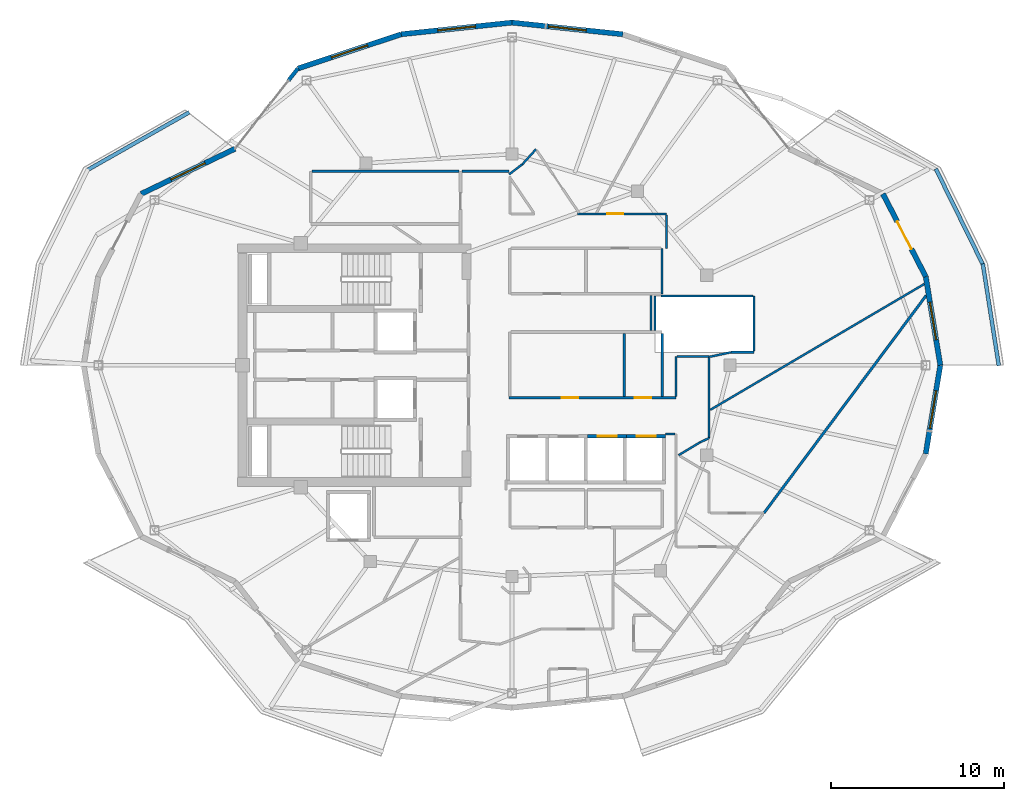
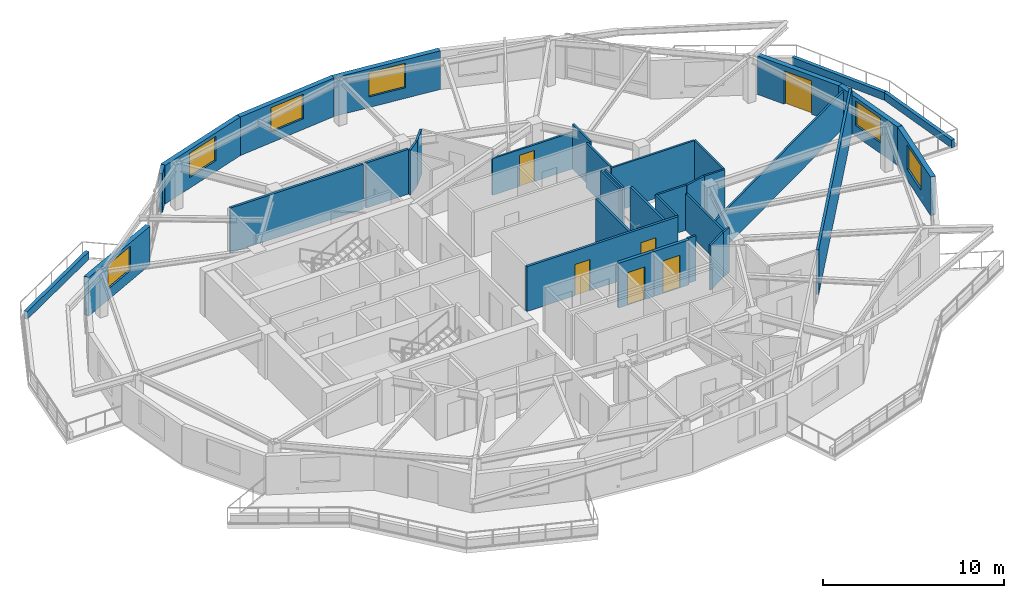
# One storey, part 8 of 12: 37 walls, 6 doors, 6 windows, 12 openings.
"""IFC4 building model written with IfcOpenShell, lengths in metres."""

import ifcopenshell
import ifcopenshell.guid

model = None  # the IFC model being written
_history = None  # IfcOwnerHistory: only IFC2X3 demands one
_inside = {}  # id of a spatial element -> (the spatial element, [elements in it])
_under = {}  # id of a project, library or spatial element -> (it, [spatial elements below it])
_declared = {}  # id of a project -> (the project, [libraries it declares])
_typed = {}  # id of a type object -> (the type object, [elements of that type])
_made_of = {}  # id of a material, layer set ... -> (it, [elements and type objects made of it])


def new_model(schema):
    """Start an empty IFC model of exactly this schema.

    Asked for "IFC4X3", IfcOpenShell would pick the latest addendum, in which some entities
    have other attributes; the version numbers below select the first issue.
    IFC2X3 requires an IfcOwnerHistory on every rooted entity: one is made here for all.
    """
    global model, _history
    if schema == "IFC4X3":
        model = ifcopenshell.file(schema_version=(4, 3, 0, 0))
    else:
        model = ifcopenshell.file(schema=schema)
    _inside.clear()
    _under.clear()
    _declared.clear()
    _typed.clear()
    _made_of.clear()
    _history = None
    if model.schema == "IFC2X3":
        org = make("IfcOrganization", Name="unknown")
        user = make(
            "IfcPersonAndOrganization",
            ThePerson=make("IfcPerson", FamilyName="unknown"),
            TheOrganization=org,
        )
        app = make(
            "IfcApplication",
            ApplicationDeveloper=org,
            Version="unknown",
            ApplicationFullName="unknown",
            ApplicationIdentifier="unknown",
        )
        _history = make(
            "IfcOwnerHistory",
            OwningUser=user,
            OwningApplication=app,
            ChangeAction="ADDED",
            CreationDate=0,
        )
    return model


def make(cls, **values):
    """One entity of the class cls with the attributes given. An attribute that is None is left unset."""
    return model.create_entity(
        cls, **{name: value for name, value in values.items() if value is not None}
    )


def rooted(cls, **values):
    """An entity with a GlobalId (a new one), such as an element, a storey or a relation."""
    return make(cls, GlobalId=ifcopenshell.guid.new(), OwnerHistory=_history, **values)


def si_unit(unit_type, name, prefix=None):
    """IfcSIUnit, for example si_unit("LENGTHUNIT", "METRE", prefix="MILLI")."""
    return make("IfcSIUnit", UnitType=unit_type, Prefix=prefix, Name=name)


def assignment(units):
    """IfcUnitAssignment: the units of a project."""
    return None if units is None else make("IfcUnitAssignment", Units=units)


def point(xyz):
    """IfcCartesianPoint."""
    return None if xyz is None else make("IfcCartesianPoint", Coordinates=xyz)


def direction(xyz):
    """IfcDirection."""
    return None if xyz is None else make("IfcDirection", DirectionRatios=xyz)


def frame(location, z_axis=None, x_axis=None):
    """IfcAxis2Placement3D, a coordinate frame: its origin and axes. An axis left out is left unset."""
    return make(
        "IfcAxis2Placement3D",
        Location=point(location),
        Axis=direction(z_axis),
        RefDirection=direction(x_axis),
    )


def frame_2d(location, x_axis=None):
    """IfcAxis2Placement2D, a coordinate frame in the plane: its origin and x axis."""
    return make(
        "IfcAxis2Placement2D", Location=point(location), RefDirection=direction(x_axis)
    )


def origin():
    """The frame at (0, 0, 0) with its axes left unset."""
    return frame((0.0, 0.0, 0.0))


def place(relative_to, where):
    """IfcLocalPlacement: puts the frame where relative to a parent placement (None: the world)."""
    return make(
        "IfcLocalPlacement", PlacementRelTo=relative_to, RelativePlacement=where
    )


def context(
    kind, dimensions, precision=None, world=None, true_north=None, identifier=None
):
    """IfcGeometricRepresentationContext, for example the 3D "Model" context."""
    return make(
        "IfcGeometricRepresentationContext",
        ContextIdentifier=identifier,
        ContextType=kind,
        CoordinateSpaceDimension=dimensions,
        Precision=precision,
        WorldCoordinateSystem=world,
        TrueNorth=true_north,
    )


def subcontext(parent, identifier, kind, view, scale=None):
    """IfcGeometricRepresentationSubContext, for example "Body" below "Model"."""
    return make(
        "IfcGeometricRepresentationSubContext",
        ContextIdentifier=identifier,
        ContextType=kind,
        ParentContext=parent,
        TargetScale=scale,
        TargetView=view,
    )


def project(units=None, contexts=None):
    """IfcProject with its units and contexts."""
    return rooted(
        "IfcProject",
        Name="project",
        RepresentationContexts=contexts,
        UnitsInContext=assignment(units),
    )


def spatial(cls, under=None, at=None, **own):
    """A site, building, storey or space (cls), placed at a placement, below another one or the project."""
    s = rooted(cls, ObjectPlacement=at, **own)
    if under is not None:
        _under.setdefault(under.id(), (under, []))[1].append(s)
    return s


def profile(cls, at=None, kind="AREA", **sizes):
    """A parametric profile (cls). Its sizes go by their IFC names, for example OverallWidth=200.0."""
    return make(cls, ProfileType=kind, Position=at, **sizes)


def rectangle(**sizes):
    """IfcRectangleProfileDef."""
    return profile("IfcRectangleProfileDef", **sizes)


def extrude(swept, where, along, depth):
    """IfcExtrudedAreaSolid: the profile swept, set in the frame where, extruded along a direction by depth."""
    return make(
        "IfcExtrudedAreaSolid",
        SweptArea=swept,
        Position=where,
        ExtrudedDirection=direction(along),
        Depth=depth,
    )


def shape(context_of_items, identifier, shape_type, items):
    """IfcShapeRepresentation: the items that make up one representation, for example the "Body"."""
    return make(
        "IfcShapeRepresentation",
        ContextOfItems=context_of_items,
        RepresentationIdentifier=identifier,
        RepresentationType=shape_type,
        Items=items,
    )


def material(Name=None, Category=None):
    """IfcMaterial."""
    return make("IfcMaterial", Name=Name, Category=Category)


def layer(
    of_material, thickness, ventilated=None, Name=None, Category=None, Priority=None
):
    """IfcMaterialLayer: one layer of a wall or slab, of a material (None: an air gap)."""
    return make(
        "IfcMaterialLayer",
        Material=of_material,
        LayerThickness=thickness,
        IsVentilated=ventilated,
        Name=Name,
        Category=Category,
        Priority=Priority,
    )


def layer_set(layers, Name=None):
    """IfcMaterialLayerSet."""
    return make("IfcMaterialLayerSet", MaterialLayers=layers, LayerSetName=Name)


def made_of(thing, what):
    """Note that an element or type object is made of a material, layer set ...; save() writes the relation."""
    if what is not None:
        _made_of.setdefault(what.id(), (what, []))[1].append(thing)
    return thing


def type_object(cls, material=None, **own):
    """A type object (cls), such as IfcWallType, which elements share."""
    return made_of(rooted(cls, **own), material)


def element(
    cls,
    number,
    at=None,
    inside=None,
    cuts=None,
    type_object=None,
    material=None,
    context=None,
    identifier="Body",
    shape_type=None,
    held_by="IfcProductDefinitionShape",
    body=None,
    shapes=None,
    **own,
):
    """One element of the class cls, such as IfcWall. Its Tag is "e" and its number.

    at: its placement. inside: the storey or other place that contains it. cuts: it is an
    opening in that element (IfcRelVoidsElement). A single representation is given by context,
    identifier, shape_type and body (its items); several are given by shapes. held_by: the class
    of the entity that holds the representations. save() writes the other relations.
    """
    e = rooted(cls, Tag="e%d" % number, ObjectPlacement=at, **own)
    if body is not None:
        shapes = [shape(context, identifier, shape_type, body)]
    if shapes is not None:
        e.Representation = make(held_by, Representations=shapes)
    if inside is not None:
        _inside.setdefault(inside.id(), (inside, []))[1].append(e)
    if cuts is not None:
        rooted(
            "IfcRelVoidsElement", RelatingBuildingElement=cuts, RelatedOpeningElement=e
        )
    if type_object is not None:
        _typed.setdefault(type_object.id(), (type_object, []))[1].append(e)
    return made_of(e, material)


def fill(opening, filler):
    """IfcRelFillsElement: the door or window that sits in an opening."""
    return rooted(
        "IfcRelFillsElement",
        RelatingOpeningElement=opening,
        RelatedBuildingElement=filler,
    )


def aggregate(whole, parts):
    """IfcRelAggregates: a whole, such as a stair, and the parts it consists of."""
    return rooted("IfcRelAggregates", RelatingObject=whole, RelatedObjects=parts)


def save(model, path):
    """Write the relations noted so far, then the file.

    IfcRelAggregates (storeys below a building ...), IfcRelContainedInSpatialStructure (elements
    in a storey), IfcRelDefinesByType, IfcRelAssociatesMaterial and IfcRelDeclares: one each for
    every whole, place, type object, material and project.
    """
    for whole, parts in _under.values():
        aggregate(whole, parts)
    for where, things in _inside.values():
        rooted(
            "IfcRelContainedInSpatialStructure",
            RelatedElements=things,
            RelatingStructure=where,
        )
    for kind, things in _typed.values():
        rooted("IfcRelDefinesByType", RelatedObjects=things, RelatingType=kind)
    for what, things in _made_of.values():
        rooted("IfcRelAssociatesMaterial", RelatedObjects=things, RelatingMaterial=what)
    for by, libraries in _declared.values():
        rooted("IfcRelDeclares", RelatingContext=by, RelatedDefinitions=libraries)
    model.write(path)


model = new_model("IFC4")

# Units and contexts
model_context = context("Model", 3, precision=1e-05, world=origin(), true_north=direction((0.0, 1.0)))
body_context = subcontext(model_context, "Body", "Model", "MODEL_VIEW")
ifc_project = project(units=[si_unit("LENGTHUNIT", "METRE"), si_unit("AREAUNIT", "SQUARE_METRE"), si_unit("VOLUMEUNIT", "CUBIC_METRE"), si_unit("PLANEANGLEUNIT", "RADIAN"), si_unit("MASSUNIT", "GRAM", prefix="KILO")], contexts=[model_context])

# Site, building, storey
site_placement = place(None, origin())
site = spatial("IfcSite", under=ifc_project, at=site_placement, CompositionType="ELEMENT")
building_placement = place(site_placement, origin())
building = spatial("IfcBuilding", under=site, at=building_placement, Name="Kolvaren Gate Tower and Convention Centre", CompositionType="ELEMENT")
storey_placement = place(building_placement, frame((0.0, 0.0, 199.699951171875)))
storey = spatial("IfcBuildingStorey", under=building, at=storey_placement, Name="L52", CompositionType="ELEMENT", Elevation=199.699951171875)

# Walls
ifc_material_1 = material(Name="Fire-Rated Acoustic Gypsum Stud Partition", Category="gypsum")
ifc_layer_1 = layer(ifc_material_1, 0.1201171875)
ifc_layer_set_1 = layer_set([ifc_layer_1], Name="Fire-Rated Acoustic Gypsum Stud Partition")
wall_type_1 = type_object("IfcWallType", Name="ARCH-WL-PART-120", PredefinedType="PARTITIONING", material=ifc_layer_set_1)
wall_1_placement = place(storey_placement, frame((38.800048828125, 31.1201171875, 0.0), z_axis=(0.0, 0.0, 1.0), x_axis=(0.0, 1.0, 0.0)))
element("IfcWall", 1, at=wall_1_placement, inside=storey, type_object=wall_type_1, Name="Interior Partition WL-L52-INT-022", PredefinedType="PARTITIONING", context=body_context, shape_type="SweptSolid", body=[
    extrude(rectangle(XDim=2.6298828125, YDim=0.1201171875, at=frame_2d((1.31494140625, 0.0))), origin(), (0.0, 0.0, 1.0), 3.030029296875),
])
wall_2_placement = place(storey_placement, frame((29.9599609375, 38.032958984375, 0.0), z_axis=(0.0, 0.0, 1.0), x_axis=(0.79811694623, 0.602502564426, 0.0)))
element("IfcWall", 2, at=wall_2_placement, inside=storey, type_object=wall_type_1, Name="Interior Partition WL-L52-INT-032", PredefinedType="PARTITIONING", context=body_context, shape_type="SweptSolid", body=[
    extrude(rectangle(XDim=0.950927734375, YDim=0.1201171875, at=frame_2d((0.4755859375, 0.0))), origin(), (0.0, 0.0, 1.0), 3.030029296875),
])
wall_3_placement = place(storey_placement, frame((30.718994140625, 38.60595703125, 0.0), z_axis=(0.0, 0.0, 1.0), x_axis=(0.671846687959, 0.740690237466, 0.0)))
element("IfcWall", 3, at=wall_3_placement, inside=storey, type_object=wall_type_1, Name="Interior Partition WL-L52-INT-033", PredefinedType="PARTITIONING", context=body_context, shape_type="SweptSolid", body=[
    extrude(rectangle(XDim=1.177490234375, YDim=0.1201171875, at=frame_2d((0.5888671875, 0.0))), origin(), (0.0, 0.0, 1.0), 3.030029296875),
])

# Wall, opening, door
wall_4_placement = place(storey_placement, frame((33.9130859375, 35.75, 0.0), z_axis=(0.0, 0.0, 1.0), x_axis=(1.0, 0.0, 0.0)))
wall_4 = element("IfcWall", 4, at=wall_4_placement, inside=storey, type_object=wall_type_1, Name="Interior Partition WL-L52-INT-036", PredefinedType="PARTITIONING", context=body_context, shape_type="SweptSolid", body=[
    extrude(rectangle(XDim=5.136962890625, YDim=0.1201171875, at=frame_2d((2.568359375, 0.0))), origin(), (0.0, 0.0, 1.0), 2.47802734375),
])
opening_1_placement = place(wall_4_placement, frame((1.70361328125, 0.0, 0.0)))
opening_1 = element("IfcOpeningElement", 5, at=opening_1_placement, cuts=wall_4, Name="Opening DR-01", PredefinedType="OPENING", context=body_context, shape_type="SweptSolid", body=[
    extrude(rectangle(XDim=0.949951171875, YDim=2.10009765625, at=frame_2d((0.47509765625, 1.050048828125))), frame((0.0, 0.070068359375, 0.0), z_axis=(0.0, -1.0, 0.0), x_axis=(1.0, 0.0, 0.0)), (0.0, 0.0, 1.0), 0.14013671875),
])
ifc_material_2 = material(Name="Painted Architectural Steelwork ASTM A500 Grade C 345 MPa", Category="steel")
door_type_1 = type_object("IfcDoorType", Name="ARCH-DR-RISER-950", OperationType="SINGLE_SWING_RIGHT", PredefinedType="DOOR", material=ifc_material_2)
door_1_placement = place(opening_1_placement, origin())
door_1 = element("IfcDoor", 6, at=door_1_placement, inside=storey, type_object=door_type_1, Name="Resident Private Study and Home Office Door", OperationType="SINGLE_SWING_RIGHT", OverallHeight=2.10009765625, OverallWidth=0.949951171875, PredefinedType="DOOR", context=body_context, shape_type="SweptSolid", body=[
    extrude(rectangle(XDim=0.949951171875, YDim=2.10009765625, at=frame_2d((0.47509765625, 1.050048828125))), frame((0.0, 0.02490234375, 0.0), z_axis=(0.0, -1.0, 0.0), x_axis=(1.0, 0.0, 0.0)), (0.0, 0.0, 1.0), 0.050048828125),
])
fill(opening_1, door_1)

# Walls
wall_5_placement = place(storey_placement, frame((39.050048828125, 33.75, 0.0), z_axis=(0.0, 0.0, 1.0), x_axis=(0.0, 1.0, 0.0)))
element("IfcWall", 7, at=wall_5_placement, inside=storey, type_object=wall_type_1, Name="Interior Partition WL-L52-INT-037", PredefinedType="PARTITIONING", context=body_context, shape_type="SweptSolid", body=[
    extrude(rectangle(XDim=1.93798828125, YDim=0.1201171875, at=frame_2d((0.968994140625, 0.0))), origin(), (0.0, 0.0, 1.0), 3.030029296875),
])
wall_6_placement = place(storey_placement, frame((38.159912109375, 28.9970703125, 0.0), z_axis=(0.0, 0.0, 1.0), x_axis=(0.0, 1.0, 0.0)))
element("IfcWall", 8, at=wall_6_placement, inside=storey, type_object=wall_type_1, Name="Interior Partition WL-L52-INT-038", PredefinedType="PARTITIONING", context=body_context, shape_type="SweptSolid", body=[
    extrude(rectangle(XDim=2.0458984375, YDim=0.1201171875, at=frame_2d((1.02294921875, 0.0))), origin(), (0.0, 0.0, 1.0), 3.030029296875),
])
wall_7_placement = place(storey_placement, frame((39.60009765625, 25.197021484375, 0.0), z_axis=(0.0, 0.0, 1.0), x_axis=(0.0, 1.0, 0.0)))
element("IfcWall", 9, at=wall_7_placement, inside=storey, type_object=wall_type_1, Name="Interior Partition WL-L52-INT-040", PredefinedType="PARTITIONING", context=body_context, shape_type="SweptSolid", body=[
    extrude(rectangle(XDim=2.31298828125, YDim=0.1201171875, at=frame_2d((1.156494140625, 0.0))), origin(), (0.0, 0.0, 1.0), 3.030029296875),
])
wall_8_placement = place(storey_placement, frame((39.662109375, 27.510009765625, 0.0), z_axis=(0.0, 0.0, 1.0), x_axis=(1.0, 0.0, 0.0)))
element("IfcWall", 10, at=wall_8_placement, inside=storey, type_object=wall_type_1, Name="Interior Partition WL-L52-INT-041", PredefinedType="PARTITIONING", context=body_context, shape_type="SweptSolid", body=[
    extrude(rectangle(XDim=1.85791015625, YDim=0.1201171875, at=frame_2d((0.928955078125, 0.0))), origin(), (0.0, 0.0, 1.0), 3.030029296875),
])
wall_9_placement = place(storey_placement, frame((41.52001953125, 22.7939453125, 0.0), z_axis=(0.0, 0.0, 1.0), x_axis=(0.0, 1.0, 0.0)))
element("IfcWall", 11, at=wall_9_placement, inside=storey, type_object=wall_type_1, Name="Interior Partition WL-L52-INT-043", PredefinedType="PARTITIONING", context=body_context, shape_type="SweptSolid", body=[
    extrude(rectangle(XDim=4.654052734375, YDim=0.1201171875, at=frame_2d((2.3271484375, 0.0))), origin(), (0.0, 0.0, 1.0), 2.47802734375),
])
wall_10_placement = place(storey_placement, frame((40.986083984375, 22.541015625, 0.0), z_axis=(0.0, 0.0, 1.0), x_axis=(0.903729424576, 0.428104107847, 0.0)))
element("IfcWall", 12, at=wall_10_placement, inside=storey, type_object=wall_type_1, Name="Interior Partition WL-L52-INT-044", PredefinedType="PARTITIONING", context=body_context, shape_type="SweptSolid", body=[
    extrude(rectangle(XDim=0.5908203125, YDim=0.1201171875, at=frame_2d((0.29541015625, 0.0))), origin(), (0.0, 0.0, 1.0), 3.030029296875),
])
wall_11_placement = place(storey_placement, frame((39.75, 21.800048828125, 0.0), z_axis=(0.0, 0.0, 1.0), x_axis=(0.857702120906, 0.514146935996, 0.0)))
element("IfcWall", 13, at=wall_11_placement, inside=storey, type_object=wall_type_1, Name="Interior Partition WL-L52-INT-045", PredefinedType="PARTITIONING", context=body_context, shape_type="SweptSolid", body=[
    extrude(rectangle(XDim=1.441162109375, YDim=0.1201171875, at=frame_2d((0.720703125, 0.0))), origin(), (0.0, 0.0, 1.0), 3.030029296875),
])
wall_12_placement = place(storey_placement, frame((39.0, 23.02001953125, 0.0), z_axis=(0.0, 0.0, 1.0), x_axis=(1.0, 0.0, 0.0)))
element("IfcWall", 14, at=wall_12_placement, inside=storey, type_object=wall_type_1, Name="Interior Partition WL-L52-INT-051", PredefinedType="PARTITIONING", context=body_context, shape_type="SweptSolid", body=[
    extrude(rectangle(XDim=0.5380859375, YDim=0.1201171875, at=frame_2d((0.26904296875, 0.0))), origin(), (0.0, 0.0, 1.0), 3.030029296875),
])
wall_13_placement = place(storey_placement, frame((41.58203125, 24.419189453125, 0.0), z_axis=(0.0, 0.0, 1.0), x_axis=(0.861940776748, 0.507008971694, 0.0)))
element("IfcWall", 15, at=wall_13_placement, inside=storey, type_object=wall_type_1, Name="Interior Partition WL-L52-INT-064", PredefinedType="PARTITIONING", context=body_context, shape_type="SweptSolid", body=[
    extrude(rectangle(XDim=14.34716796875, YDim=0.1201171875, at=frame_2d((7.173583984375, 0.0))), origin(), (0.0, 0.0, 1.0), 2.47802734375),
])
wall_14_placement = place(storey_placement, frame((41.52001953125, 27.48095703125, 0.0), z_axis=(0.0, 0.0, 1.0), x_axis=(0.978151658552, 0.207892599368, 0.0)))
element("IfcWall", 16, at=wall_14_placement, inside=storey, type_object=wall_type_1, Name="Interior Partition WL-L52-INT-077", PredefinedType="PARTITIONING", context=body_context, shape_type="SweptSolid", body=[
    extrude(rectangle(XDim=1.294189453125, YDim=0.1201171875, at=frame_2d((0.64697265625, 0.0))), origin(), (0.0, 0.0, 1.0), 3.030029296875),
])
wall_15_placement = place(storey_placement, frame((42.785888671875, 27.75, 0.0), z_axis=(0.0, 0.0, 1.0), x_axis=(1.0, 0.0, 0.0)))
element("IfcWall", 17, at=wall_15_placement, inside=storey, type_object=wall_type_1, Name="Interior Partition WL-L52-INT-078", PredefinedType="PARTITIONING", context=body_context, shape_type="SweptSolid", body=[
    extrude(rectangle(XDim=1.314208984375, YDim=0.1201171875, at=frame_2d((0.6572265625, 0.0))), origin(), (0.0, 0.0, 1.0), 3.030029296875),
])
wall_16_placement = place(storey_placement, frame((44.10009765625, 27.81201171875, 0.0), z_axis=(0.0, 0.0, 1.0), x_axis=(0.0, 1.0, 0.0)))
element("IfcWall", 18, at=wall_16_placement, inside=storey, type_object=wall_type_1, Name="Interior Partition WL-L52-INT-079", PredefinedType="PARTITIONING", context=body_context, shape_type="SweptSolid", body=[
    extrude(rectangle(XDim=3.18798828125, YDim=0.1201171875, at=frame_2d((1.593994140625, 0.0))), origin(), (0.0, 0.0, 1.0), 3.030029296875),
])
wall_17_placement = place(storey_placement, frame((38.738037109375, 31.0, 0.0), z_axis=(0.0, 0.0, 1.0), x_axis=(1.0, 0.0, 0.0)))
element("IfcWall", 19, at=wall_17_placement, inside=storey, type_object=wall_type_1, Name="Interior Partition WL-L52-INT-080", PredefinedType="PARTITIONING", context=body_context, shape_type="SweptSolid", body=[
    extrude(rectangle(XDim=5.300048828125, YDim=0.1201171875, at=frame_2d((2.64990234375, 0.0))), origin(), (0.0, 0.0, 1.0), 3.030029296875),
])
wall_18_placement = place(storey_placement, frame((38.39990234375, 28.9970703125, 0.0), z_axis=(0.0, 0.0, 1.0), x_axis=(0.0, 1.0, 0.0)))
element("IfcWall", 20, at=wall_18_placement, inside=storey, type_object=wall_type_1, Name="Interior Partition WL-L52-INT-081", PredefinedType="PARTITIONING", context=body_context, shape_type="SweptSolid", body=[
    extrude(rectangle(XDim=2.0029296875, YDim=0.1201171875, at=frame_2d((1.00146484375, 0.0))), origin(), (0.0, 0.0, 1.0), 3.030029296875),
])
ifc_material_3 = material(Name="Bogota Sabana Bush-Hammered Sandstone Cladding", Category="masonry")
ifc_layer_2 = layer(ifc_material_3, 0.219970703125)
ifc_layer_set_2 = layer_set([ifc_layer_2], Name="Bogota Sabana Bush-Hammered Sandstone Cladding")
wall_type_2 = type_object("IfcWallType", Name="ARCH-WL-PIER-220", PredefinedType="SOLIDWALL", material=ifc_layer_set_2)
wall_19_placement = place(storey_placement, frame((17.210205078125, 43.457763671875, 0.0), z_axis=(0.0, 0.0, 1.0), x_axis=(0.616466126167, 0.787381429352, 0.0)))
element("IfcWall", 21, at=wall_19_placement, inside=storey, type_object=wall_type_2, Name="Tower L52 Unitised Curtain Wall CW-RES-UNIT Bay 08 Right Column Pier Wrap", PredefinedType="SOLIDWALL", context=body_context, shape_type="SweptSolid", body=[
    extrude(rectangle(XDim=0.875732421875, YDim=0.219970703125, at=frame_2d((0.43798828125, 0.0))), origin(), (0.0, 0.0, 1.0), 2.60498046875),
])
ifc_material_4 = material(Name="Piedmont Cream Honed Limestone Cladding", Category="masonry")
ifc_layer_3 = layer(ifc_material_4, 0.219970703125)
ifc_layer_set_3 = layer_set([ifc_layer_3], Name="Piedmont Cream Honed Limestone Cladding")
wall_type_3 = type_object("IfcWallType", Name="ARCH-WL-PLANTER-220", PredefinedType="PARAPET", material=ifc_layer_set_3)
wall_20_placement = place(storey_placement, frame((57.331787109375, 32.8623046875, 0.0), z_axis=(0.0, 0.0, 1.0), x_axis=(0.1550711793, -0.987903299595, 0.0)))
element("IfcWall", 22, at=wall_20_placement, inside=storey, type_object=wall_type_3, Name="Vertical-Forest Balcony Stone Planter Kerb PK-L52-1.1", PredefinedType="PARAPET", context=body_context, shape_type="SweptSolid", body=[
    extrude(rectangle(XDim=5.963623046875, YDim=0.219970703125, at=frame_2d((2.98193359375, 0.0))), origin(), (0.0, 0.0, 1.0), 0.52001953125),
])
wall_21_placement = place(storey_placement, frame((54.615966796875, 38.3466796875, 0.0), z_axis=(0.0, 0.0, 1.0), x_axis=(0.441640961804, -0.897191875162, 0.0)))
element("IfcWall", 23, at=wall_21_placement, inside=storey, type_object=wall_type_3, Name="Vertical-Forest Balcony Stone Planter Kerb PK-L52-1.2", PredefinedType="PARAPET", context=body_context, shape_type="SweptSolid", body=[
    extrude(rectangle(XDim=6.17822265625, YDim=0.219970703125, at=frame_2d((3.089111328125, 0.0))), origin(), (0.0, 0.0, 1.0), 0.52001953125),
])
wall_22_placement = place(storey_placement, frame((5.6083984375, 38.29052734375, 0.0), z_axis=(0.0, 0.0, 1.0), x_axis=(0.869860619267, 0.493297580623, 0.0)))
element("IfcWall", 24, at=wall_22_placement, inside=storey, type_object=wall_type_3, Name="Vertical-Forest Balcony Stone Planter Kerb PK-L52-2.1", PredefinedType="PARAPET", context=body_context, shape_type="SweptSolid", body=[
    extrude(rectangle(XDim=6.74267578125, YDim=0.219970703125, at=frame_2d((3.371337890625, 0.0))), origin(), (0.0, 0.0, 1.0), 0.52001953125),
])

# Wall, opening, door
ifc_material_5 = material(Name="Autoclaved Aerated Masonry Blockwork Class 4 (4.0 MPa)", Category="masonry")
ifc_layer_4 = layer(ifc_material_5, 0.199951171875)
ifc_layer_set_4 = layer_set([ifc_layer_4], Name="Autoclaved Aerated Masonry Blockwork Class 4 (4.0 MPa)")
wall_type_4 = type_object("IfcWallType", Name="ARCH-WL-SHAFT-200", PredefinedType="SOLIDWALL", material=ifc_layer_set_4)
wall_23_placement = place(storey_placement, frame((34.5, 22.89990234375, 0.0), z_axis=(0.0, 0.0, 1.0), x_axis=(1.0, 0.0, 0.0)))
wall_23 = element("IfcWall", 25, at=wall_23_placement, inside=storey, type_object=wall_type_4, Name="Elevator PL-11 L52 Fire Shaft Wall N", PredefinedType="SOLIDWALL", context=body_context, shape_type="SweptSolid", body=[
    extrude(rectangle(XDim=2.25, YDim=0.199951171875, at=frame_2d((1.125, 0.0))), origin(), (0.0, 0.0, 1.0), 3.030029296875),
])
opening_2_placement = place(wall_23_placement, frame((0.574951171875, 0.0, 0.0)))
opening_2 = element("IfcOpeningElement", 26, at=opening_2_placement, cuts=wall_23, Name="Opening LD", PredefinedType="OPENING", context=body_context, shape_type="SweptSolid", body=[
    extrude(rectangle(XDim=1.10009765625, YDim=2.199951171875, at=frame_2d((0.550048828125, 1.10009765625))), frame((0.0, 0.10986328125, 0.0), z_axis=(0.0, -1.0, 0.0), x_axis=(1.0, 0.0, 0.0)), (0.0, 0.0, 1.0), 0.219970703125),
])
ifc_material_6 = material(Name="Brushed Stainless Steel Grade 316L", Category="steel")
door_type_2 = type_object("IfcDoorType", Name="ARCH-DR-LIFT-1100", OperationType="SLIDING_TO_LEFT", PredefinedType="DOOR", material=ifc_material_6)
door_2_placement = place(opening_2_placement, origin())
door_2 = element("IfcDoor", 27, at=door_2_placement, inside=storey, type_object=door_type_2, Name="Elevator PL-11 L52 Sliding Landing Door", OperationType="SLIDING_TO_LEFT", OverallHeight=2.199951171875, OverallWidth=1.10009765625, PredefinedType="DOOR", context=body_context, shape_type="SweptSolid", body=[
    extrude(rectangle(XDim=1.10009765625, YDim=2.199951171875, at=frame_2d((0.550048828125, 1.10009765625))), frame((0.0, 0.02490234375, 0.0), z_axis=(0.0, -1.0, 0.0), x_axis=(1.0, 0.0, 0.0)), (0.0, 0.0, 1.0), 0.050048828125),
])
fill(opening_2, door_2)

wall_24_placement = place(storey_placement, frame((36.75, 22.89990234375, 0.0), z_axis=(0.0, 0.0, 1.0), x_axis=(1.0, 0.0, 0.0)))
wall_24 = element("IfcWall", 28, at=wall_24_placement, inside=storey, type_object=wall_type_4, Name="Elevator PL-12 L52 Fire Shaft Wall N", PredefinedType="SOLIDWALL", context=body_context, shape_type="SweptSolid", body=[
    extrude(rectangle(XDim=2.25, YDim=0.199951171875, at=frame_2d((1.125, 0.0))), origin(), (0.0, 0.0, 1.0), 3.030029296875),
])
opening_3_placement = place(wall_24_placement, frame((0.574951171875, 0.0, 0.0)))
opening_3 = element("IfcOpeningElement", 29, at=opening_3_placement, cuts=wall_24, Name="Opening LD", PredefinedType="OPENING", context=body_context, shape_type="SweptSolid", body=[
    extrude(rectangle(XDim=1.10009765625, YDim=2.199951171875, at=frame_2d((0.550048828125, 1.10009765625))), frame((0.0, 0.10986328125, 0.0), z_axis=(0.0, -1.0, 0.0), x_axis=(1.0, 0.0, 0.0)), (0.0, 0.0, 1.0), 0.219970703125),
])
door_3_placement = place(opening_3_placement, origin())
door_3 = element("IfcDoor", 30, at=door_3_placement, inside=storey, type_object=door_type_2, Name="Elevator PL-12 L52 Sliding Landing Door", OperationType="SLIDING_TO_LEFT", OverallHeight=2.199951171875, OverallWidth=1.10009765625, PredefinedType="DOOR", context=body_context, shape_type="SweptSolid", body=[
    extrude(rectangle(XDim=1.10009765625, YDim=2.199951171875, at=frame_2d((0.550048828125, 1.10009765625))), frame((0.0, 0.02490234375, 0.0), z_axis=(0.0, -1.0, 0.0), x_axis=(1.0, 0.0, 0.0)), (0.0, 0.0, 1.0), 0.050048828125),
])
fill(opening_3, door_3)

# Wall, opening, window
ifc_layer_5 = layer(ifc_material_4, 0.300048828125)
ifc_layer_set_5 = layer_set([ifc_layer_5], Name="Piedmont Cream Honed Limestone Cladding")
wall_type_5 = type_object("IfcWallType", Name="ARCH-WL-STONE-300", PredefinedType="SOLIDWALL", material=ifc_layer_set_5)
wall_25_placement = place(storey_placement, frame((54.03173828125, 32.12451171875, 0.0), z_axis=(0.0, 0.0, 1.0), x_axis=(0.16237087798, -0.986729799886, 0.0)))
wall_25 = element("IfcWall", 31, at=wall_25_placement, inside=storey, type_object=wall_type_5, Name="Tower L52 Honed Stone Spandrel Wall EW-00", PredefinedType="SOLIDWALL", context=body_context, shape_type="SweptSolid", body=[
    extrude(rectangle(XDim=5.193359375, YDim=0.300048828125, at=frame_2d((2.5966796875, 0.0))), origin(), (0.0, 0.0, 1.0), 2.60498046875),
])
opening_4_placement = place(wall_25_placement, frame((1.4970703125, 0.0, 0.719970703125)))
opening_4 = element("IfcOpeningElement", 32, at=opening_4_placement, cuts=wall_25, Name="Opening W-03", PredefinedType="OPENING", context=body_context, shape_type="SweptSolid", body=[
    extrude(rectangle(XDim=2.199951171875, YDim=1.64990234375, at=frame_2d((1.10009765625, 0.824951171875))), frame((0.0, 0.159912109375, 0.0), z_axis=(0.0, -1.0, 0.0), x_axis=(1.0, 0.0, 0.0)), (0.0, 0.0, 1.0), 0.320068359375),
])
ifc_material_7 = material(Name="Low-E Triple Insulated Glazing Unit 44 mm", Category="glass")
window_type = type_object("IfcWindowType", Name="ARCH-WN-RES-2200", PartitioningType="SINGLE_PANEL", PredefinedType="WINDOW", material=ifc_material_7)
window_1_placement = place(opening_4_placement, origin())
window_1 = element("IfcWindow", 33, at=window_1_placement, inside=storey, type_object=window_type, Name="Tower L52 Punched Stone Facade Window W-00", OverallHeight=1.64990234375, OverallWidth=2.199951171875, PartitioningType="SINGLE_PANEL", PredefinedType="WINDOW", context=body_context, shape_type="SweptSolid", body=[
    extrude(rectangle(XDim=2.199951171875, YDim=1.64990234375, at=frame_2d((1.10009765625, 0.824951171875))), frame((0.0, 0.030029296875, 0.0), z_axis=(0.0, -1.0, 0.0), x_axis=(1.0, 0.0, 0.0)), (0.0, 0.0, 1.0), 0.06005859375),
])
fill(opening_4, window_1)

# Wall, opening, door
wall_26_placement = place(storey_placement, frame((51.55908203125, 36.89990234375, 0.0), z_axis=(0.0, 0.0, 1.0), x_axis=(0.459808219482, -0.888018243786, 0.0)))
wall_26 = element("IfcWall", 34, at=wall_26_placement, inside=storey, type_object=wall_type_5, Name="Tower L52 Honed Stone Spandrel Wall EW-01", PredefinedType="SOLIDWALL", context=body_context, shape_type="SweptSolid", body=[
    extrude(rectangle(XDim=5.377685546875, YDim=0.300048828125, at=frame_2d((2.68896484375, 0.0))), origin(), (0.0, 0.0, 1.0), 2.60498046875),
])
opening_5_placement = place(wall_26_placement, frame((1.7890625, 0.0, 0.0)))
opening_5 = element("IfcOpeningElement", 35, at=opening_5_placement, cuts=wall_26, Name="Opening DB-01", PredefinedType="OPENING", context=body_context, shape_type="SweptSolid", body=[
    extrude(rectangle(XDim=1.800048828125, YDim=2.25, at=frame_2d((0.89990234375, 1.125))), frame((0.0, 0.159912109375, 0.0), z_axis=(0.0, -1.0, 0.0), x_axis=(1.0, 0.0, 0.0)), (0.0, 0.0, 1.0), 0.320068359375),
])
ifc_material_8 = material(Name="Anodized Architectural Aluminium Alloy 6063-T6", Category="aluminium")
door_type_3 = type_object("IfcDoorType", Name="ARCH-DR-BALC-1800", OperationType="SLIDING_TO_LEFT", PredefinedType="DOOR", material=ifc_material_8)
door_4_placement = place(opening_5_placement, origin())
door_4 = element("IfcDoor", 36, at=door_4_placement, inside=storey, type_object=door_type_3, Name="Planted Sky Terrace Access Door DB-L52-01", OperationType="SLIDING_TO_LEFT", OverallHeight=2.25, OverallWidth=1.800048828125, PredefinedType="DOOR", context=body_context, shape_type="SweptSolid", body=[
    extrude(rectangle(XDim=1.800048828125, YDim=2.25, at=frame_2d((0.89990234375, 1.125))), frame((0.0, 0.02490234375, 0.0), z_axis=(0.0, -1.0, 0.0), x_axis=(1.0, 0.0, 0.0)), (0.0, 0.0, 1.0), 0.050048828125),
])
fill(opening_5, door_4)

# Wall, opening, window
wall_27_placement = place(storey_placement, frame((30.125, 46.800048828125, 0.0), z_axis=(0.0, 0.0, 1.0), x_axis=(0.994497142298, -0.104763705363, 0.0)))
wall_27 = element("IfcWall", 37, at=wall_27_placement, inside=storey, type_object=wall_type_5, Name="Tower L52 Honed Stone Spandrel Wall EW-05", PredefinedType="SOLIDWALL", context=body_context, shape_type="SweptSolid", body=[
    extrude(rectangle(XDim=6.441162109375, YDim=0.300048828125, at=frame_2d((3.220703125, 0.0))), origin(), (0.0, 0.0, 1.0), 2.60498046875),
])
opening_6_placement = place(wall_27_placement, frame((2.12109375, 0.0, 0.719970703125)))
opening_6 = element("IfcOpeningElement", 38, at=opening_6_placement, cuts=wall_27, Name="Opening W-03", PredefinedType="OPENING", context=body_context, shape_type="SweptSolid", body=[
    extrude(rectangle(XDim=2.199951171875, YDim=1.64990234375, at=frame_2d((1.10009765625, 0.824951171875))), frame((0.0, 0.159912109375, 0.0), z_axis=(0.0, -1.0, 0.0), x_axis=(1.0, 0.0, 0.0)), (0.0, 0.0, 1.0), 0.320068359375),
])
window_2_placement = place(opening_6_placement, origin())
window_2 = element("IfcWindow", 39, at=window_2_placement, inside=storey, type_object=window_type, Name="Tower L52 Punched Stone Facade Window W-05", OverallHeight=1.64990234375, OverallWidth=2.199951171875, PartitioningType="SINGLE_PANEL", PredefinedType="WINDOW", context=body_context, shape_type="SweptSolid", body=[
    extrude(rectangle(XDim=2.199951171875, YDim=1.64990234375, at=frame_2d((1.10009765625, 0.824951171875))), frame((0.0, 0.030029296875, 0.0), z_axis=(0.0, -1.0, 0.0), x_axis=(1.0, 0.0, 0.0)), (0.0, 0.0, 1.0), 0.06005859375),
])
fill(opening_6, window_2)

wall_28_placement = place(storey_placement, frame((23.71923828125, 46.125244140625, 0.0), z_axis=(0.0, 0.0, 1.0), x_axis=(0.994497142298, 0.104763705363, 0.0)))
wall_28 = element("IfcWall", 40, at=wall_28_placement, inside=storey, type_object=wall_type_5, Name="Tower L52 Honed Stone Spandrel Wall EW-06", PredefinedType="SOLIDWALL", context=body_context, shape_type="SweptSolid", body=[
    extrude(rectangle(XDim=6.441162109375, YDim=0.300048828125, at=frame_2d((3.220703125, 0.0))), origin(), (0.0, 0.0, 1.0), 2.60498046875),
])
opening_7_placement = place(wall_28_placement, frame((2.12109375, 0.0, 0.719970703125)))
opening_7 = element("IfcOpeningElement", 41, at=opening_7_placement, cuts=wall_28, Name="Opening W-03", PredefinedType="OPENING", context=body_context, shape_type="SweptSolid", body=[
    extrude(rectangle(XDim=2.199951171875, YDim=1.64990234375, at=frame_2d((1.10009765625, 0.824951171875))), frame((0.0, 0.159912109375, 0.0), z_axis=(0.0, -1.0, 0.0), x_axis=(1.0, 0.0, 0.0)), (0.0, 0.0, 1.0), 0.320068359375),
])
window_3_placement = place(opening_7_placement, origin())
window_3 = element("IfcWindow", 42, at=window_3_placement, inside=storey, type_object=window_type, Name="Tower L52 Punched Stone Facade Window W-06", OverallHeight=1.64990234375, OverallWidth=2.199951171875, PartitioningType="SINGLE_PANEL", PredefinedType="WINDOW", context=body_context, shape_type="SweptSolid", body=[
    extrude(rectangle(XDim=2.199951171875, YDim=1.64990234375, at=frame_2d((1.10009765625, 0.824951171875))), frame((0.0, 0.030029296875, 0.0), z_axis=(0.0, -1.0, 0.0), x_axis=(1.0, 0.0, 0.0)), (0.0, 0.0, 1.0), 0.06005859375),
])
fill(opening_7, window_3)

wall_29_placement = place(storey_placement, frame((17.75, 44.147216796875, 0.0), z_axis=(0.0, 0.0, 1.0), x_axis=(0.949240877604, 0.314550085495, 0.0)))
wall_29 = element("IfcWall", 43, at=wall_29_placement, inside=storey, type_object=wall_type_5, Name="Tower L52 Honed Stone Spandrel Wall EW-07", PredefinedType="SOLIDWALL", context=body_context, shape_type="SweptSolid", body=[
    extrude(rectangle(XDim=6.288330078125, YDim=0.300048828125, at=frame_2d((3.14404296875, 0.0))), origin(), (0.0, 0.0, 1.0), 2.60498046875),
])
opening_8_placement = place(wall_29_placement, frame((2.0439453125, 0.0, 0.719970703125)))
opening_8 = element("IfcOpeningElement", 44, at=opening_8_placement, cuts=wall_29, Name="Opening W-03", PredefinedType="OPENING", context=body_context, shape_type="SweptSolid", body=[
    extrude(rectangle(XDim=2.199951171875, YDim=1.64990234375, at=frame_2d((1.10009765625, 0.824951171875))), frame((0.0, 0.159912109375, 0.0), z_axis=(0.0, -1.0, 0.0), x_axis=(1.0, 0.0, 0.0)), (0.0, 0.0, 1.0), 0.320068359375),
])
window_4_placement = place(opening_8_placement, origin())
window_4 = element("IfcWindow", 45, at=window_4_placement, inside=storey, type_object=window_type, Name="Tower L52 Punched Stone Facade Window W-07", OverallHeight=1.64990234375, OverallWidth=2.199951171875, PartitioningType="SINGLE_PANEL", PredefinedType="WINDOW", context=body_context, shape_type="SweptSolid", body=[
    extrude(rectangle(XDim=2.199951171875, YDim=1.64990234375, at=frame_2d((1.10009765625, 0.824951171875))), frame((0.0, 0.030029296875, 0.0), z_axis=(0.0, -1.0, 0.0), x_axis=(1.0, 0.0, 0.0)), (0.0, 0.0, 1.0), 0.06005859375),
])
fill(opening_8, window_4)

wall_30_placement = place(storey_placement, frame((8.69091796875, 36.89990234375, 0.0), z_axis=(0.0, 0.0, 1.0), x_axis=(0.901348331142, 0.433094892545, 0.0)))
wall_30 = element("IfcWall", 46, at=wall_30_placement, inside=storey, type_object=wall_type_5, Name="Tower L52 Honed Stone Spandrel Wall EW-09", PredefinedType="SOLIDWALL", context=body_context, shape_type="SweptSolid", body=[
    extrude(rectangle(XDim=6.0205078125, YDim=0.300048828125, at=frame_2d((3.01025390625, 0.0))), origin(), (0.0, 0.0, 1.0), 2.60498046875),
])
opening_9_placement = place(wall_30_placement, frame((1.909912109375, 0.0, 0.719970703125)))
opening_9 = element("IfcOpeningElement", 47, at=opening_9_placement, cuts=wall_30, Name="Opening W-03", PredefinedType="OPENING", context=body_context, shape_type="SweptSolid", body=[
    extrude(rectangle(XDim=2.199951171875, YDim=1.64990234375, at=frame_2d((1.10009765625, 0.824951171875))), frame((0.0, 0.159912109375, 0.0), z_axis=(0.0, -1.0, 0.0), x_axis=(1.0, 0.0, 0.0)), (0.0, 0.0, 1.0), 0.320068359375),
])
window_5_placement = place(opening_9_placement, origin())
window_5 = element("IfcWindow", 48, at=window_5_placement, inside=storey, type_object=window_type, Name="Tower L52 Punched Stone Facade Window W-09", OverallHeight=1.64990234375, OverallWidth=2.199951171875, PartitioningType="SINGLE_PANEL", PredefinedType="WINDOW", context=body_context, shape_type="SweptSolid", body=[
    extrude(rectangle(XDim=2.199951171875, YDim=1.64990234375, at=frame_2d((1.10009765625, 0.824951171875))), frame((0.0, 0.030029296875, 0.0), z_axis=(0.0, -1.0, 0.0), x_axis=(1.0, 0.0, 0.0)), (0.0, 0.0, 1.0), 0.06005859375),
])
fill(opening_9, window_5)

wall_31_placement = place(storey_placement, frame((54.03173828125, 21.87548828125, 0.0), z_axis=(0.0, 0.0, 1.0), x_axis=(0.16237087798, 0.986729799886, 0.0)))
wall_31 = element("IfcWall", 49, at=wall_31_placement, inside=storey, type_object=wall_type_5, Name="Tower L52 Honed Stone Spandrel Wall EW-23", PredefinedType="SOLIDWALL", context=body_context, shape_type="SweptSolid", body=[
    extrude(rectangle(XDim=5.193359375, YDim=0.300048828125, at=frame_2d((2.5966796875, 0.0))), origin(), (0.0, 0.0, 1.0), 2.60498046875),
])
opening_10_placement = place(wall_31_placement, frame((1.4970703125, 0.0, 0.719970703125)))
opening_10 = element("IfcOpeningElement", 50, at=opening_10_placement, cuts=wall_31, Name="Opening W-03", PredefinedType="OPENING", context=body_context, shape_type="SweptSolid", body=[
    extrude(rectangle(XDim=2.199951171875, YDim=1.64990234375, at=frame_2d((1.10009765625, 0.824951171875))), frame((0.0, 0.159912109375, 0.0), z_axis=(0.0, -1.0, 0.0), x_axis=(1.0, 0.0, 0.0)), (0.0, 0.0, 1.0), 0.320068359375),
])
window_6_placement = place(opening_10_placement, origin())
window_6 = element("IfcWindow", 51, at=window_6_placement, inside=storey, type_object=window_type, Name="Tower L52 Punched Stone Facade Window W-23", OverallHeight=1.64990234375, OverallWidth=2.199951171875, PartitioningType="SINGLE_PANEL", PredefinedType="WINDOW", context=body_context, shape_type="SweptSolid", body=[
    extrude(rectangle(XDim=2.199951171875, YDim=1.64990234375, at=frame_2d((1.10009765625, 0.824951171875))), frame((0.0, 0.030029296875, 0.0), z_axis=(0.0, -1.0, 0.0), x_axis=(1.0, 0.0, 0.0)), (0.0, 0.0, 1.0), 0.06005859375),
])
fill(opening_10, window_6)

# Wall, openings, doors
ifc_material_9 = material(Name="Moisture-Resistant Cement-Board Acoustic Partition", Category="gypsum")
ifc_layer_6 = layer(ifc_material_9, 0.14990234375)
ifc_layer_set_6 = layer_set([ifc_layer_6], Name="Moisture-Resistant Cement-Board Acoustic Partition")
wall_type_6 = type_object("IfcWallType", Name="ARCH-WL-WET-150", PredefinedType="PARTITIONING", material=ifc_layer_set_6)
wall_32_placement = place(storey_placement, frame((29.9599609375, 25.1201171875, 0.0), z_axis=(0.0, 0.0, 1.0), x_axis=(1.0, 0.0, 0.0)))
wall_32 = element("IfcWall", 52, at=wall_32_placement, inside=storey, type_object=wall_type_6, Name="Interior Partition WL-L52-INT-013", PredefinedType="PARTITIONING", context=body_context, shape_type="SweptSolid", body=[
    extrude(rectangle(XDim=9.64013671875, YDim=0.14990234375, at=frame_2d((4.820068359375, 0.0))), origin(), (0.0, 0.0, 1.0), 3.030029296875),
])
opening_11_placement = place(wall_32_placement, frame((3.050048828125, 0.0, 0.0)))
opening_11 = element("IfcOpeningElement", 53, at=opening_11_placement, cuts=wall_32, Name="Opening DR-01", PredefinedType="OPENING", context=body_context, shape_type="SweptSolid", body=[
    extrude(rectangle(XDim=0.949951171875, YDim=2.10009765625, at=frame_2d((0.47509765625, 1.050048828125))), frame((0.0, 0.0849609375, 0.0), z_axis=(0.0, -1.0, 0.0), x_axis=(1.0, 0.0, 0.0)), (0.0, 0.0, 1.0), 0.169921875),
])
opening_12_placement = place(wall_32_placement, frame((7.264892578125, 0.0, 0.0)))
opening_12 = element("IfcOpeningElement", 54, at=opening_12_placement, cuts=wall_32, Name="Opening DR-01", PredefinedType="OPENING", context=body_context, shape_type="SweptSolid", body=[
    extrude(rectangle(XDim=0.949951171875, YDim=2.10009765625, at=frame_2d((0.47509765625, 1.050048828125))), frame((0.0, 0.0849609375, 0.0), z_axis=(0.0, -1.0, 0.0), x_axis=(1.0, 0.0, 0.0)), (0.0, 0.0, 1.0), 0.169921875),
])
door_5_placement = place(opening_11_placement, origin())
door_5 = element("IfcDoor", 55, at=door_5_placement, inside=storey, type_object=door_type_1, Name="Accessible Universal Washroom Door", OperationType="SINGLE_SWING_RIGHT", OverallHeight=2.10009765625, OverallWidth=0.949951171875, PredefinedType="DOOR", context=body_context, shape_type="SweptSolid", body=[
    extrude(rectangle(XDim=0.949951171875, YDim=2.10009765625, at=frame_2d((0.47509765625, 1.050048828125))), frame((0.0, 0.02490234375, 0.0), z_axis=(0.0, -1.0, 0.0), x_axis=(1.0, 0.0, 0.0)), (0.0, 0.0, 1.0), 0.050048828125),
])
fill(opening_11, door_5)
door_6_placement = place(opening_12_placement, origin())
door_6 = element("IfcDoor", 56, at=door_6_placement, inside=storey, type_object=door_type_1, Name="Floor Janitor and Supply Store Door", OperationType="SINGLE_SWING_LEFT", OverallHeight=2.10009765625, OverallWidth=0.949951171875, PredefinedType="DOOR", context=body_context, shape_type="SweptSolid", body=[
    extrude(rectangle(XDim=0.949951171875, YDim=2.10009765625, at=frame_2d((0.47509765625, 1.050048828125))), frame((0.0, 0.02490234375, 0.0), z_axis=(0.0, -1.0, 0.0), x_axis=(1.0, 0.0, 0.0)), (0.0, 0.0, 1.0), 0.050048828125),
])
fill(opening_12, door_6)

# Walls
for number, where, z_axis, x_axis, name in (
    (57, (36.60009765625, 25.197021484375, 0.0), (0.0, 0.0, 1.0), (0.0, 1.0, 0.0), "Interior Partition WL-L52-INT-019"),
    (58, (38.800048828125, 25.197021484375, 0.0), (0.0, 0.0, 1.0), (0.0, 1.0, 0.0), "Interior Partition WL-L52-INT-021"),
):
    element("IfcWall", number, at=place(storey_placement, frame(where, z_axis=z_axis, x_axis=x_axis)), inside=storey, type_object=wall_type_6, Name=name, PredefinedType="PARTITIONING", context=body_context, shape_type="SweptSolid", body=[
        extrude(rectangle(XDim=3.64599609375, YDim=0.14990234375, at=frame_2d((1.822998046875, 0.0))), origin(), (0.0, 0.0, 1.0), 3.030029296875),
    ])
wall_33_placement = place(storey_placement, frame((18.576904296875, 38.199951171875, 0.0), z_axis=(0.0, 0.0, 1.0), x_axis=(1.0, 0.0, 0.0)))
element("IfcWall", 59, at=wall_33_placement, inside=storey, type_object=wall_type_6, Name="Interior Partition WL-L52-INT-031", PredefinedType="PARTITIONING", context=body_context, shape_type="SweptSolid", body=[
    extrude(rectangle(XDim=8.49609375, YDim=0.14990234375, at=frame_2d((4.248046875, 0.0))), origin(), (0.0, 0.0, 1.0), 3.030029296875),
])
wall_34_placement = place(storey_placement, frame((27.22705078125, 38.199951171875, 0.0), z_axis=(0.0, 0.0, 1.0), x_axis=(1.0, 0.0, 0.0)))
element("IfcWall", 60, at=wall_34_placement, inside=storey, type_object=wall_type_6, Name="Interior Partition WL-L52-INT-031 (2)", PredefinedType="PARTITIONING", context=body_context, shape_type="SweptSolid", body=[
    extrude(rectangle(XDim=2.73291015625, YDim=0.14990234375, at=frame_2d((1.366455078125, 0.0))), origin(), (0.0, 0.0, 1.0), 3.030029296875),
])
wall_35_placement = place(storey_placement, frame((44.68408203125, 18.457275390625, 0.0), z_axis=(0.0, 0.0, 1.0), x_axis=(0.597750794318, 0.801681974284, 0.0)))
element("IfcWall", 61, at=wall_35_placement, inside=storey, type_object=wall_type_6, Name="Interior Partition WL-L52-INT-071 (4)", PredefinedType="PARTITIONING", context=body_context, shape_type="SweptSolid", body=[
    extrude(rectangle(XDim=15.681640625, YDim=0.14990234375, at=frame_2d((7.8408203125, 0.0))), origin(), (0.0, 0.0, 1.0), 3.030029296875),
])

save(model, "model.ifc")
